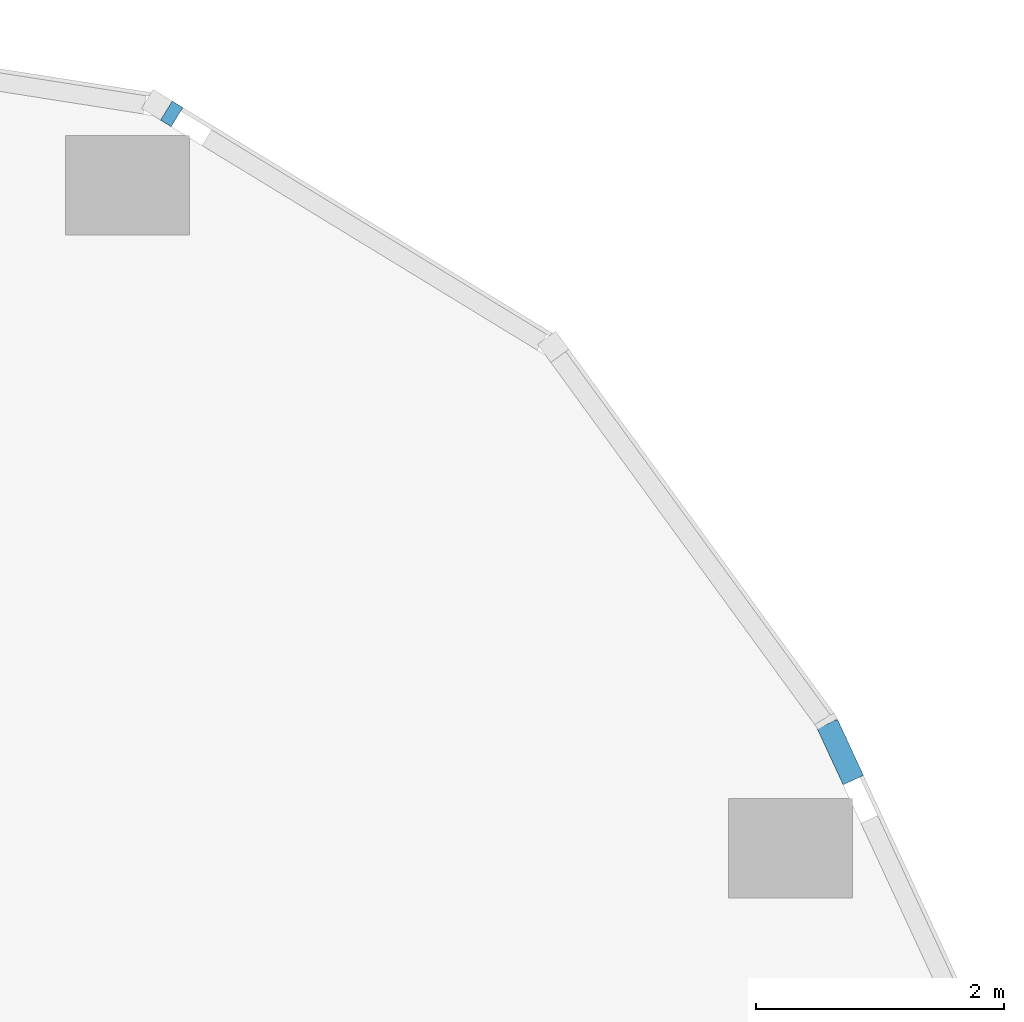
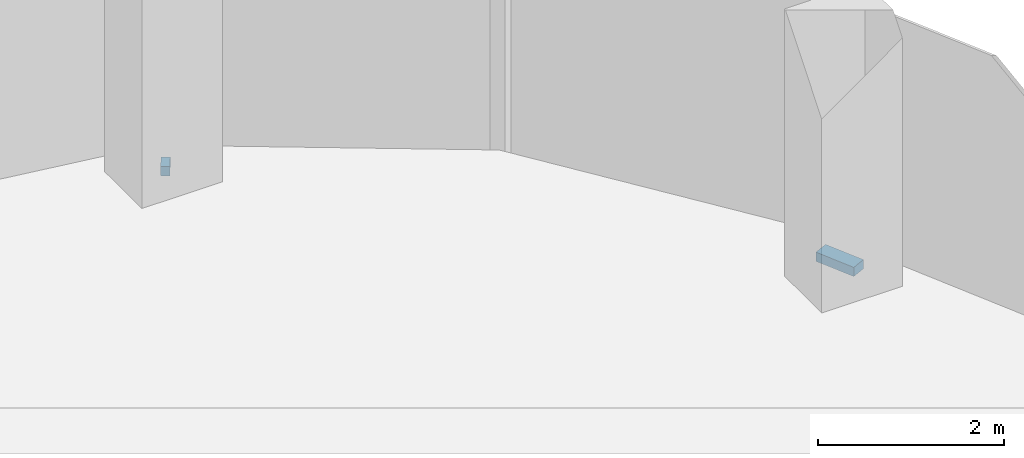
# One storey, part 15 of 23: 2 members, 2 elements without a shape of their own.
"""IFC4 building model written with IfcOpenShell, lengths in metres."""

from ifc_helpers import new_model, si_unit, direction, frame, origin, origin_2d, place, context, subcontext, project, spatial, rectangle, extrude, material, material_profile, profile_set, type_object, element, aggregate, save


model = new_model("IFC4")

# Units and contexts
model_context = context("Model", 3, precision=1e-05, world=origin(), true_north=direction((0.0, 1.0)))
body_context = subcontext(model_context, "Body", "Model", "MODEL_VIEW")
ifc_project = project(units=[si_unit("LENGTHUNIT", "METRE"), si_unit("AREAUNIT", "SQUARE_METRE"), si_unit("VOLUMEUNIT", "CUBIC_METRE"), si_unit("PLANEANGLEUNIT", "RADIAN"), si_unit("MASSUNIT", "GRAM", prefix="KILO")], contexts=[model_context])

# Site, building, storey
site_placement = place(None, origin())
site = spatial("IfcSite", under=ifc_project, at=site_placement, CompositionType="ELEMENT")
building_placement = place(site_placement, origin())
building = spatial("IfcBuilding", under=site, at=building_placement, Name="Orlundy Tower", CompositionType="ELEMENT")
storey_placement = place(building_placement, frame((0.0, 0.0, 264.0)))
storey = spatial("IfcBuildingStorey", under=building, at=storey_placement, Name="L70", CompositionType="ELEMENT", Elevation=264.0)

# Curtain wall, member
ifc_material_1 = material(Name="Aluminium bronze anodised", Category="aluminium")
curtain_wall_type = type_object("IfcCurtainWallType", Name="CW1 wall", PredefinedType="NOTDEFINED", material=ifc_material_1)
curtain_wall_1_placement = place(storey_placement, origin())
curtain_wall_1 = element("IfcCurtainWall", 1, at=curtain_wall_1_placement, inside=storey, type_object=curtain_wall_type, Name="CW1 run 13", PredefinedType="NOTDEFINED")
ifc_material_2 = material(Name="Aluminium bronze anodised", Category="aluminium")
ifc_material_profile = material_profile(ifc_material_2, rectangle(XDim=0.179931640625, YDim=0.1201171875, at=origin_2d()), Name="CW1 transom 180x120")
ifc_profile_set = profile_set([ifc_material_profile], Name="Aluminium bronze anodised")
member_type = type_object("IfcMemberType", Name="CW1 transom 180x120", PredefinedType="USERDEFINED", material=ifc_profile_set)
member_1_placement = place(storey_placement, frame((26.199462890625, 31.085205078125, -0.340087890625), z_axis=(0.853161300119, -0.52164719493, 0.0), x_axis=(0.52164719493, 0.853161300119, 0.0)))
member_1 = element("IfcMember", 2, at=member_1_placement, type_object=member_type, Name="CW1 transom", ObjectType="TRANSOM", PredefinedType="USERDEFINED", context=body_context, shape_type="SweptSolid", body=[
    extrude(rectangle(XDim=0.179931640625, YDim=0.1201171875, at=origin_2d()), origin(), (0.0, 0.0, 1.0), 0.10009765625),
])
aggregate(curtain_wall_1, [member_1])

curtain_wall_2_placement = place(storey_placement, origin())
curtain_wall_2 = element("IfcCurtainWall", 3, at=curtain_wall_2_placement, inside=storey, type_object=curtain_wall_type, Name="CW1 run 15", PredefinedType="NOTDEFINED")
member_2_placement = place(storey_placement, frame((31.526611328125, 26.14111328125, -0.340087890625), z_axis=(0.419494228682, -0.90775800305, 0.0), x_axis=(0.90775800305, 0.419494228682, 0.0)))
member_2 = element("IfcMember", 4, at=member_2_placement, type_object=member_type, Name="CW1 transom", ObjectType="TRANSOM", PredefinedType="USERDEFINED", context=body_context, shape_type="SweptSolid", body=[
    extrude(rectangle(XDim=0.179931640625, YDim=0.1201171875, at=origin_2d()), origin(), (0.0, 0.0, 1.0), 0.4970703125),
])
aggregate(curtain_wall_2, [member_2])

save(model, "model.ifc")
